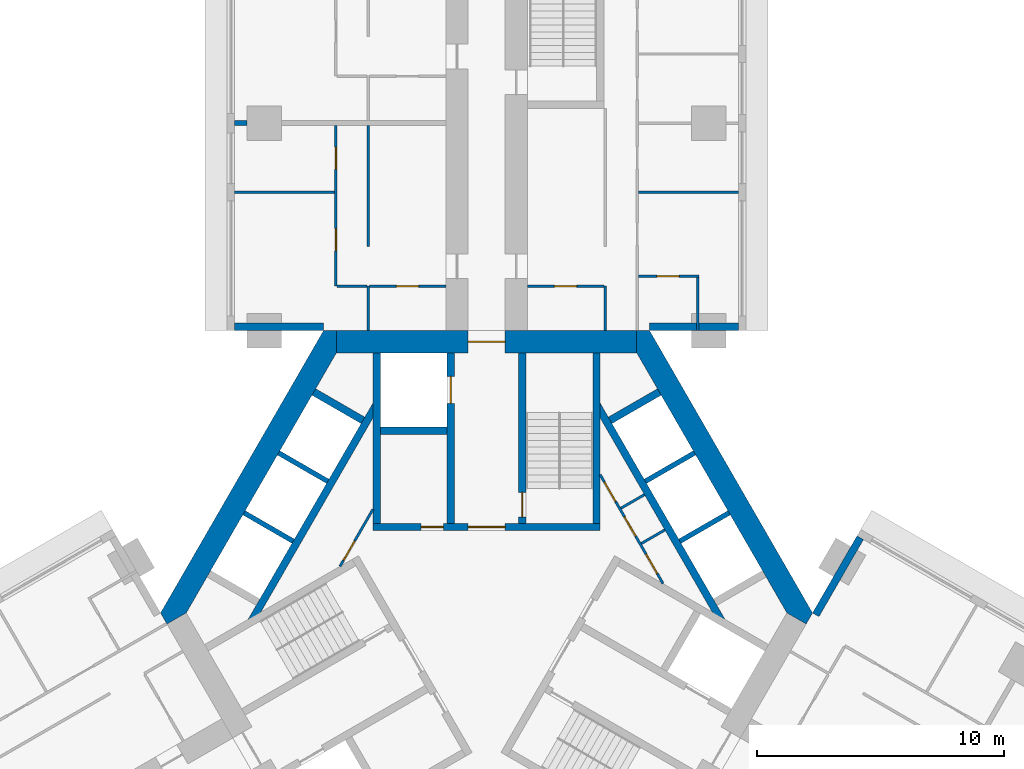
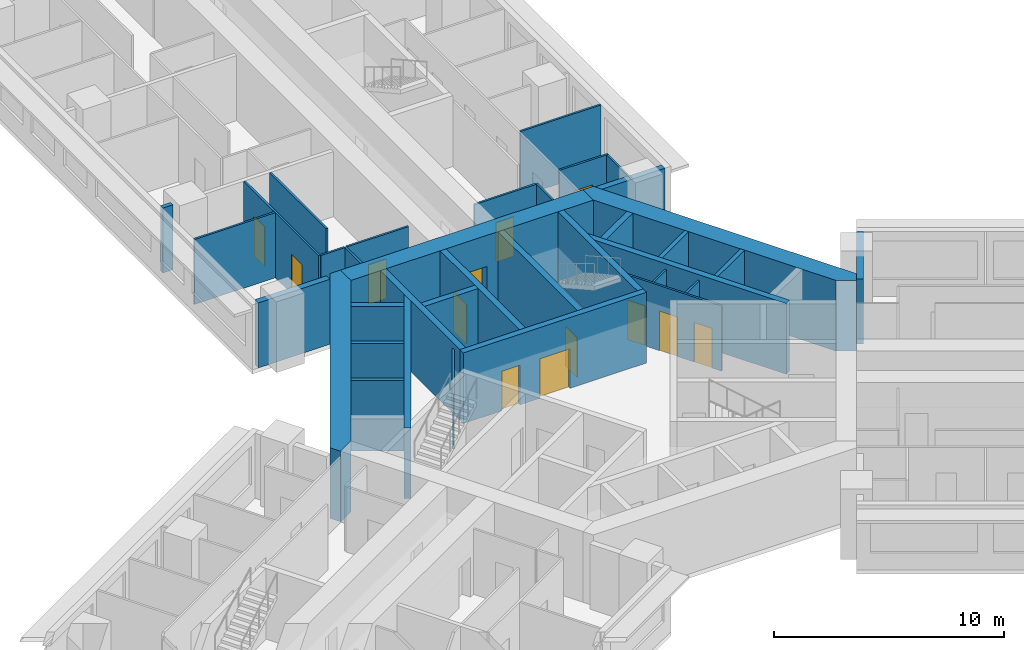
# One storey, part 7 of 14: 36 walls, 14 doors, 14 openings.
"""IFC4 building model written with IfcOpenShell, lengths in metres."""

import ifcopenshell
import ifcopenshell.guid

model = None  # the IFC model being written
_history = None  # IfcOwnerHistory: only IFC2X3 demands one
_inside = {}  # id of a spatial element -> (the spatial element, [elements in it])
_under = {}  # id of a project, library or spatial element -> (it, [spatial elements below it])
_declared = {}  # id of a project -> (the project, [libraries it declares])
_typed = {}  # id of a type object -> (the type object, [elements of that type])
_made_of = {}  # id of a material, layer set ... -> (it, [elements and type objects made of it])


def new_model(schema):
    """Start an empty IFC model of exactly this schema.

    Asked for "IFC4X3", IfcOpenShell would pick the latest addendum, in which some entities
    have other attributes; the version numbers below select the first issue.
    IFC2X3 requires an IfcOwnerHistory on every rooted entity: one is made here for all.
    """
    global model, _history
    if schema == "IFC4X3":
        model = ifcopenshell.file(schema_version=(4, 3, 0, 0))
    else:
        model = ifcopenshell.file(schema=schema)
    _inside.clear()
    _under.clear()
    _declared.clear()
    _typed.clear()
    _made_of.clear()
    _history = None
    if model.schema == "IFC2X3":
        org = make("IfcOrganization", Name="unknown")
        user = make(
            "IfcPersonAndOrganization",
            ThePerson=make("IfcPerson", FamilyName="unknown"),
            TheOrganization=org,
        )
        app = make(
            "IfcApplication",
            ApplicationDeveloper=org,
            Version="unknown",
            ApplicationFullName="unknown",
            ApplicationIdentifier="unknown",
        )
        _history = make(
            "IfcOwnerHistory",
            OwningUser=user,
            OwningApplication=app,
            ChangeAction="ADDED",
            CreationDate=0,
        )
    return model


def make(cls, **values):
    """One entity of the class cls with the attributes given. An attribute that is None is left unset."""
    return model.create_entity(
        cls, **{name: value for name, value in values.items() if value is not None}
    )


def rooted(cls, **values):
    """An entity with a GlobalId (a new one), such as an element, a storey or a relation."""
    return make(cls, GlobalId=ifcopenshell.guid.new(), OwnerHistory=_history, **values)


def si_unit(unit_type, name, prefix=None):
    """IfcSIUnit, for example si_unit("LENGTHUNIT", "METRE", prefix="MILLI")."""
    return make("IfcSIUnit", UnitType=unit_type, Prefix=prefix, Name=name)


def assignment(units):
    """IfcUnitAssignment: the units of a project."""
    return None if units is None else make("IfcUnitAssignment", Units=units)


def point(xyz):
    """IfcCartesianPoint."""
    return None if xyz is None else make("IfcCartesianPoint", Coordinates=xyz)


def direction(xyz):
    """IfcDirection."""
    return None if xyz is None else make("IfcDirection", DirectionRatios=xyz)


def frame(location, z_axis=None, x_axis=None):
    """IfcAxis2Placement3D, a coordinate frame: its origin and axes. An axis left out is left unset."""
    return make(
        "IfcAxis2Placement3D",
        Location=point(location),
        Axis=direction(z_axis),
        RefDirection=direction(x_axis),
    )


def frame_2d(location, x_axis=None):
    """IfcAxis2Placement2D, a coordinate frame in the plane: its origin and x axis."""
    return make(
        "IfcAxis2Placement2D", Location=point(location), RefDirection=direction(x_axis)
    )


def origin():
    """The frame at (0, 0, 0) with its axes left unset."""
    return frame((0.0, 0.0, 0.0))


def place(relative_to, where):
    """IfcLocalPlacement: puts the frame where relative to a parent placement (None: the world)."""
    return make(
        "IfcLocalPlacement", PlacementRelTo=relative_to, RelativePlacement=where
    )


def context(
    kind, dimensions, precision=None, world=None, true_north=None, identifier=None
):
    """IfcGeometricRepresentationContext, for example the 3D "Model" context."""
    return make(
        "IfcGeometricRepresentationContext",
        ContextIdentifier=identifier,
        ContextType=kind,
        CoordinateSpaceDimension=dimensions,
        Precision=precision,
        WorldCoordinateSystem=world,
        TrueNorth=true_north,
    )


def subcontext(parent, identifier, kind, view, scale=None):
    """IfcGeometricRepresentationSubContext, for example "Body" below "Model"."""
    return make(
        "IfcGeometricRepresentationSubContext",
        ContextIdentifier=identifier,
        ContextType=kind,
        ParentContext=parent,
        TargetScale=scale,
        TargetView=view,
    )


def project(units=None, contexts=None):
    """IfcProject with its units and contexts."""
    return rooted(
        "IfcProject",
        Name="project",
        RepresentationContexts=contexts,
        UnitsInContext=assignment(units),
    )


def spatial(cls, under=None, at=None, **own):
    """A site, building, storey or space (cls), placed at a placement, below another one or the project."""
    s = rooted(cls, ObjectPlacement=at, **own)
    if under is not None:
        _under.setdefault(under.id(), (under, []))[1].append(s)
    return s


def polyline(points):
    """IfcPolyline through the points."""
    return make("IfcPolyline", Points=[point(p) for p in points])


def profile(cls, at=None, kind="AREA", **sizes):
    """A parametric profile (cls). Its sizes go by their IFC names, for example OverallWidth=200.0."""
    return make(cls, ProfileType=kind, Position=at, **sizes)


def rectangle(**sizes):
    """IfcRectangleProfileDef."""
    return profile("IfcRectangleProfileDef", **sizes)


def outline(outer, holes=None, kind="AREA"):
    """IfcArbitraryClosedProfileDef: a profile drawn as a closed curve; with holes, ...WithVoids."""
    if holes is None:
        return make("IfcArbitraryClosedProfileDef", ProfileType=kind, OuterCurve=outer)
    return make(
        "IfcArbitraryProfileDefWithVoids",
        ProfileType=kind,
        OuterCurve=outer,
        InnerCurves=holes,
    )


def extrude(swept, where, along, depth):
    """IfcExtrudedAreaSolid: the profile swept, set in the frame where, extruded along a direction by depth."""
    return make(
        "IfcExtrudedAreaSolid",
        SweptArea=swept,
        Position=where,
        ExtrudedDirection=direction(along),
        Depth=depth,
    )


def shape(context_of_items, identifier, shape_type, items):
    """IfcShapeRepresentation: the items that make up one representation, for example the "Body"."""
    return make(
        "IfcShapeRepresentation",
        ContextOfItems=context_of_items,
        RepresentationIdentifier=identifier,
        RepresentationType=shape_type,
        Items=items,
    )


def material(Name=None, Category=None):
    """IfcMaterial."""
    return make("IfcMaterial", Name=Name, Category=Category)


def layer(
    of_material, thickness, ventilated=None, Name=None, Category=None, Priority=None
):
    """IfcMaterialLayer: one layer of a wall or slab, of a material (None: an air gap)."""
    return make(
        "IfcMaterialLayer",
        Material=of_material,
        LayerThickness=thickness,
        IsVentilated=ventilated,
        Name=Name,
        Category=Category,
        Priority=Priority,
    )


def layer_set(layers, Name=None):
    """IfcMaterialLayerSet."""
    return make("IfcMaterialLayerSet", MaterialLayers=layers, LayerSetName=Name)


def made_of(thing, what):
    """Note that an element or type object is made of a material, layer set ...; save() writes the relation."""
    if what is not None:
        _made_of.setdefault(what.id(), (what, []))[1].append(thing)
    return thing


def type_object(cls, material=None, **own):
    """A type object (cls), such as IfcWallType, which elements share."""
    return made_of(rooted(cls, **own), material)


def element(
    cls,
    number,
    at=None,
    inside=None,
    cuts=None,
    type_object=None,
    material=None,
    context=None,
    identifier="Body",
    shape_type=None,
    held_by="IfcProductDefinitionShape",
    body=None,
    shapes=None,
    **own,
):
    """One element of the class cls, such as IfcWall. Its Tag is "e" and its number.

    at: its placement. inside: the storey or other place that contains it. cuts: it is an
    opening in that element (IfcRelVoidsElement). A single representation is given by context,
    identifier, shape_type and body (its items); several are given by shapes. held_by: the class
    of the entity that holds the representations. save() writes the other relations.
    """
    e = rooted(cls, Tag="e%d" % number, ObjectPlacement=at, **own)
    if body is not None:
        shapes = [shape(context, identifier, shape_type, body)]
    if shapes is not None:
        e.Representation = make(held_by, Representations=shapes)
    if inside is not None:
        _inside.setdefault(inside.id(), (inside, []))[1].append(e)
    if cuts is not None:
        rooted(
            "IfcRelVoidsElement", RelatingBuildingElement=cuts, RelatedOpeningElement=e
        )
    if type_object is not None:
        _typed.setdefault(type_object.id(), (type_object, []))[1].append(e)
    return made_of(e, material)


def fill(opening, filler):
    """IfcRelFillsElement: the door or window that sits in an opening."""
    return rooted(
        "IfcRelFillsElement",
        RelatingOpeningElement=opening,
        RelatedBuildingElement=filler,
    )


def aggregate(whole, parts):
    """IfcRelAggregates: a whole, such as a stair, and the parts it consists of."""
    return rooted("IfcRelAggregates", RelatingObject=whole, RelatedObjects=parts)


def save(model, path):
    """Write the relations noted so far, then the file.

    IfcRelAggregates (storeys below a building ...), IfcRelContainedInSpatialStructure (elements
    in a storey), IfcRelDefinesByType, IfcRelAssociatesMaterial and IfcRelDeclares: one each for
    every whole, place, type object, material and project.
    """
    for whole, parts in _under.values():
        aggregate(whole, parts)
    for where, things in _inside.values():
        rooted(
            "IfcRelContainedInSpatialStructure",
            RelatedElements=things,
            RelatingStructure=where,
        )
    for kind, things in _typed.values():
        rooted("IfcRelDefinesByType", RelatedObjects=things, RelatingType=kind)
    for what, things in _made_of.values():
        rooted("IfcRelAssociatesMaterial", RelatedObjects=things, RelatingMaterial=what)
    for by, libraries in _declared.values():
        rooted("IfcRelDeclares", RelatingContext=by, RelatedDefinitions=libraries)
    model.write(path)


model = new_model("IFC4")

# Units and contexts
model_context = context("Model", 3, precision=1e-05, world=origin(), true_north=direction((0.0, 1.0)))
body_context = subcontext(model_context, "Body", "Model", "MODEL_VIEW")
ifc_project = project(units=[si_unit("LENGTHUNIT", "METRE"), si_unit("AREAUNIT", "SQUARE_METRE"), si_unit("VOLUMEUNIT", "CUBIC_METRE"), si_unit("PLANEANGLEUNIT", "RADIAN"), si_unit("MASSUNIT", "GRAM", prefix="KILO")], contexts=[model_context])

# Site, building, storey
site_placement = place(None, origin())
site = spatial("IfcSite", under=ifc_project, at=site_placement, CompositionType="ELEMENT")
building_placement = place(site_placement, origin())
building = spatial("IfcBuilding", under=site, at=building_placement, Name="Impinga Residences", CompositionType="ELEMENT")
storey_placement = place(building_placement, frame((0.0, 0.0, 89.75)))
storey = spatial("IfcBuildingStorey", under=building, at=storey_placement, Name="L22", CompositionType="ELEMENT", Elevation=89.75)

# Wall, openings, doors
ifc_material_1 = material(Name="Concrete blockwork", Category="masonry")
ifc_layer_1 = layer(ifc_material_1, 0.10009765625)
ifc_layer_set_1 = layer_set([ifc_layer_1], Name="CP1 core room partition, blockwork 100")
wall_type_1 = type_object("IfcWallType", Name="CP1 core room partition, blockwork 100", PredefinedType="PARTITIONING", material=ifc_layer_set_1)
wall_1_placement = place(storey_placement, frame((4.60009765625, 5.595703125, 0.0), z_axis=(0.0, 0.0, 1.0), x_axis=(0.499975622669, -0.866039477586, 0.0)))
wall_1 = element("IfcWall", 1, at=wall_1_placement, inside=storey, type_object=wall_type_1, Name="Core room partition, blockwork L22:CORE:mid:FP", PredefinedType="PARTITIONING", context=body_context, shape_type="SweptSolid", body=[
    extrude(rectangle(XDim=5.092041015625, YDim=0.10009765625, at=frame_2d((2.5458984375, 0.0))), origin(), (0.0, 0.0, 1.0), 3.449951171875),
])
opening_1_placement = place(wall_1_placement, frame((0.347900390625, 0.0, 0.0)))
opening_1 = element("IfcOpeningElement", 2, at=opening_1_placement, cuts=wall_1, Name="Opening D6", PredefinedType="OPENING", context=body_context, shape_type="SweptSolid", body=[
    extrude(rectangle(XDim=0.89990234375, YDim=2.10009765625, at=frame_2d((0.449951171875, 1.050048828125))), frame((0.0, 0.06005859375, 0.0), z_axis=(0.0, -1.0, 0.0), x_axis=(1.0, 0.0, 0.0)), (0.0, 0.0, 1.0), 0.1201171875),
])
opening_2_placement = place(wall_1_placement, frame((1.970947265625, 0.0, 0.0)))
opening_2 = element("IfcOpeningElement", 3, at=opening_2_placement, cuts=wall_1, Name="Opening D6", PredefinedType="OPENING", context=body_context, shape_type="SweptSolid", body=[
    extrude(rectangle(XDim=0.89990234375, YDim=2.10009765625, at=frame_2d((0.449951171875, 1.050048828125))), frame((0.0, 0.06005859375, 0.0), z_axis=(0.0, -1.0, 0.0), x_axis=(1.0, 0.0, 0.0)), (0.0, 0.0, 1.0), 0.1201171875),
])
opening_3_placement = place(wall_1_placement, frame((3.718994140625, 0.0, 0.0)))
opening_3 = element("IfcOpeningElement", 4, at=opening_3_placement, cuts=wall_1, Name="Opening D6", PredefinedType="OPENING", context=body_context, shape_type="SweptSolid", body=[
    extrude(rectangle(XDim=0.89990234375, YDim=2.10009765625, at=frame_2d((0.449951171875, 1.050048828125))), frame((0.0, 0.06005859375, 0.0), z_axis=(0.0, -1.0, 0.0), x_axis=(1.0, 0.0, 0.0)), (0.0, 0.0, 1.0), 0.1201171875),
])
ifc_material_2 = material(Name="Timber door set", Category="wood")
door_type_1 = type_object("IfcDoorType", Name="D6 riser and store door 900x2100", OperationType="SINGLE_SWING_LEFT", PredefinedType="DOOR", material=ifc_material_2)
door_1_placement = place(opening_1_placement, origin())
door_1 = element("IfcDoor", 5, at=door_1_placement, inside=storey, type_object=door_type_1, Name="Riser cupboard door", OperationType="SINGLE_SWING_LEFT", OverallHeight=2.10009765625, OverallWidth=0.89990234375, PredefinedType="DOOR", context=body_context, shape_type="SweptSolid", body=[
    extrude(rectangle(XDim=0.89990234375, YDim=2.10009765625, at=frame_2d((0.449951171875, 1.050048828125))), frame((0.0, 0.02490234375, 0.0), z_axis=(0.0, -1.0, 0.0), x_axis=(1.0, 0.0, 0.0)), (0.0, 0.0, 1.0), 0.050048828125),
])
fill(opening_1, door_1)
door_2_placement = place(opening_2_placement, origin())
door_2 = element("IfcDoor", 6, at=door_2_placement, inside=storey, type_object=door_type_1, Name="Linen store door", OperationType="SINGLE_SWING_LEFT", OverallHeight=2.10009765625, OverallWidth=0.89990234375, PredefinedType="DOOR", context=body_context, shape_type="SweptSolid", body=[
    extrude(rectangle(XDim=0.89990234375, YDim=2.10009765625, at=frame_2d((0.449951171875, 1.050048828125))), frame((0.0, 0.02490234375, 0.0), z_axis=(0.0, -1.0, 0.0), x_axis=(1.0, 0.0, 0.0)), (0.0, 0.0, 1.0), 0.050048828125),
])
fill(opening_2, door_2)
door_3_placement = place(opening_3_placement, origin())
door_3 = element("IfcDoor", 7, at=door_3_placement, inside=storey, type_object=door_type_1, Name="Bulky waste store door", OperationType="SINGLE_SWING_RIGHT", OverallHeight=2.10009765625, OverallWidth=0.89990234375, PredefinedType="DOOR", context=body_context, shape_type="SweptSolid", body=[
    extrude(rectangle(XDim=0.89990234375, YDim=2.10009765625, at=frame_2d((0.449951171875, 1.050048828125))), frame((0.0, 0.02490234375, 0.0), z_axis=(0.0, -1.0, 0.0), x_axis=(1.0, 0.0, 0.0)), (0.0, 0.0, 1.0), 0.050048828125),
])
fill(opening_3, door_3)

# Walls
for number, where, z_axis, x_axis, name in (
    (8, (5.441162109375, 4.238525390625, 0.0), (0.0, 0.0, 1.0), (0.866008176907, 0.50002983664, 0.0), "Core room partition, blockwork L22:CORE:mid:FS1"),
    (9, (6.266357421875, 2.8095703125, 0.0), (0.0, 0.0, 1.0), (0.866008176907, 0.50002983664, 0.0), "Core room partition, blockwork L22:CORE:mid:FS2"),
):
    element("IfcWall", number, at=place(storey_placement, frame(where, z_axis=z_axis, x_axis=x_axis)), inside=storey, type_object=wall_type_1, Name=name, PredefinedType="PARTITIONING", context=body_context, shape_type="SweptSolid", body=[
        extrude(rectangle(XDim=1.10009765625, YDim=0.10009765625, at=frame_2d((0.550048828125, 0.0))), origin(), (0.0, 0.0, 1.0), 3.449951171875),
    ])

# Wall, opening, door
wall_2_placement = place(storey_placement, frame((-5.93359375, 1.885986328125, 0.0), z_axis=(0.0, 0.0, 1.0), x_axis=(0.500018294232, 0.866014841347, 0.0)))
wall_2 = element("IfcWall", 10, at=wall_2_placement, inside=storey, type_object=wall_type_1, Name="Core room partition, blockwork L22:CORE:high:FP", PredefinedType="PARTITIONING", context=body_context, shape_type="SweptSolid", body=[
    extrude(rectangle(XDim=2.6669921875, YDim=0.10009765625, at=frame_2d((1.33349609375, 0.0))), origin(), (0.0, 0.0, 1.0), 3.449951171875),
])
opening_4_placement = place(wall_2_placement, frame((0.283447265625, 0.0, 0.0)))
opening_4 = element("IfcOpeningElement", 11, at=opening_4_placement, cuts=wall_2, Name="Opening D6", PredefinedType="OPENING", context=body_context, shape_type="SweptSolid", body=[
    extrude(rectangle(XDim=0.89990234375, YDim=2.10009765625, at=frame_2d((0.449951171875, 1.050048828125))), frame((0.0, 0.06005859375, 0.0), z_axis=(0.0, -1.0, 0.0), x_axis=(1.0, 0.0, 0.0)), (0.0, 0.0, 1.0), 0.1201171875),
])
door_4_placement = place(opening_4_placement, origin())
door_4 = element("IfcDoor", 12, at=door_4_placement, inside=storey, type_object=door_type_1, Name="Refuse and recycling room door", OperationType="SINGLE_SWING_LEFT", OverallHeight=2.10009765625, OverallWidth=0.89990234375, PredefinedType="DOOR", context=body_context, shape_type="SweptSolid", body=[
    extrude(rectangle(XDim=0.89990234375, YDim=2.10009765625, at=frame_2d((0.449951171875, 1.050048828125))), frame((0.0, 0.02490234375, 0.0), z_axis=(0.0, -1.0, 0.0), x_axis=(1.0, 0.0, 0.0)), (0.0, 0.0, 1.0), 0.050048828125),
])
fill(opening_4, door_4)

# Walls
ifc_material_3 = material(Name="Terracotta rainscreen on blockwork", Category="masonry")
ifc_layer_2 = layer(ifc_material_3, 0.300048828125)
ifc_layer_set_2 = layer_set([ifc_layer_2], Name="EW1 external wall, terracotta rainscreen on blockwork 300")
wall_type_2 = type_object("IfcWallType", Name="EW1 external wall, terracotta rainscreen on blockwork 300", PredefinedType="SOLIDWALL", material=ifc_layer_set_2)
for number, where, z_axis, x_axis, name in (
    (13, (-6.60009765625, 11.58154296875, 0.0), (0.0, 0.0, 1.0), (-1.0, 0.0, 0.0), "External wall EW1 L22"),
    (14, (10.199951171875, 11.58154296875, 0.0), (0.0, 0.0, 1.0), (-1.0, 0.0, 0.0), "External wall EW1 L22"),
):
    element("IfcWall", number, at=place(storey_placement, frame(where, z_axis=z_axis, x_axis=x_axis)), inside=storey, type_object=wall_type_2, Name=name, PredefinedType="SOLIDWALL", context=body_context, shape_type="SweptSolid", body=[
        extrude(rectangle(XDim=3.599853515625, YDim=0.300048828125, at=frame_2d((1.7998046875, 0.0))), origin(), (0.0, 0.0, 1.0), 3.449951171875),
    ])
wall_3_placement = place(storey_placement, frame((13.329833984375, -0.074951171875, 0.0), z_axis=(0.0, 0.0, 1.0), x_axis=(0.500012057535, 0.866018442252, 0.0)))
element("IfcWall", 15, at=wall_3_placement, inside=storey, type_object=wall_type_2, Name="External wall EW1 L22", PredefinedType="SOLIDWALL", context=body_context, shape_type="SweptSolid", body=[
    extrude(rectangle(XDim=3.60009765625, YDim=0.300048828125, at=frame_2d((1.800048828125, 0.0))), origin(), (0.0, 0.0, 1.0), 3.449951171875),
])
ifc_material_4 = material(Name="Gypsum board on steel studs", Category="steel")
ifc_layer_3 = layer(ifc_material_4, 0.10009765625)
ifc_layer_set_3 = layer_set([ifc_layer_3], Name="Gypsum board on steel studs")
wall_type_3 = type_object("IfcWallType", Name="IP1 partition 100", PredefinedType="PARTITIONING", material=ifc_layer_set_3)
wall_4_placement = place(storey_placement, frame((-4.800048828125, 11.431640625, 0.0), z_axis=(0.0, 0.0, 1.0), x_axis=(0.0, 1.0, 0.0)))
element("IfcWall", 16, at=wall_4_placement, inside=storey, type_object=wall_type_3, Name="Partition L22-NA1:DIV0", PredefinedType="PARTITIONING", context=body_context, shape_type="SweptSolid", body=[
    extrude(rectangle(XDim=1.7998046875, YDim=0.10009765625, at=frame_2d((0.89990234375, 0.0))), origin(), (0.0, 0.0, 1.0), 3.449951171875),
])
wall_5_placement = place(storey_placement, frame((-4.800048828125, 14.83154296875, 0.0), z_axis=(0.0, 0.0, 1.0), x_axis=(0.0, 1.0, 0.0)))
element("IfcWall", 17, at=wall_5_placement, inside=storey, type_object=wall_type_3, Name="Partition L22-NA1:DIV1", PredefinedType="PARTITIONING", context=body_context, shape_type="SweptSolid", body=[
    extrude(rectangle(XDim=4.89990234375, YDim=0.10009765625, at=frame_2d((2.449951171875, 0.0))), origin(), (0.0, 0.0, 1.0), 3.449951171875),
])

# Wall, openings, doors
wall_6_placement = place(storey_placement, frame((-6.10009765625, 13.2314453125, 0.0), z_axis=(0.0, 0.0, 1.0), x_axis=(0.0, 1.0, 0.0)))
wall_6 = element("IfcWall", 18, at=wall_6_placement, inside=storey, type_object=wall_type_3, Name="Partition L22-NA1:STRIP", PredefinedType="PARTITIONING", context=body_context, shape_type="SweptSolid", body=[
    extrude(rectangle(XDim=6.5, YDim=0.10009765625, at=frame_2d((3.25, 0.0))), origin(), (0.0, 0.0, 1.0), 3.449951171875),
])
opening_5_placement = place(wall_6_placement, frame((1.425048828125, 0.0, 0.0)))
opening_5 = element("IfcOpeningElement", 19, at=opening_5_placement, cuts=wall_6, Name="Opening D2", PredefinedType="OPENING", context=body_context, shape_type="SweptSolid", body=[
    extrude(rectangle(XDim=0.89990234375, YDim=2.10009765625, at=frame_2d((0.449951171875, 1.050048828125))), frame((0.0, 0.06005859375, 0.0), z_axis=(0.0, -1.0, 0.0), x_axis=(1.0, 0.0, 0.0)), (0.0, 0.0, 1.0), 0.1201171875),
])
opening_6_placement = place(wall_6_placement, frame((4.72509765625, 0.0, 0.0)))
opening_6 = element("IfcOpeningElement", 20, at=opening_6_placement, cuts=wall_6, Name="Opening D2", PredefinedType="OPENING", context=body_context, shape_type="SweptSolid", body=[
    extrude(rectangle(XDim=0.89990234375, YDim=2.10009765625, at=frame_2d((0.449951171875, 1.050048828125))), frame((0.0, 0.06005859375, 0.0), z_axis=(0.0, -1.0, 0.0), x_axis=(1.0, 0.0, 0.0)), (0.0, 0.0, 1.0), 0.1201171875),
])
door_type_2 = type_object("IfcDoorType", Name="D2 internal door 900x2100", OperationType="SINGLE_SWING_LEFT", PredefinedType="DOOR", material=ifc_material_2)
door_5_placement = place(opening_5_placement, origin())
door_5 = element("IfcDoor", 21, at=door_5_placement, inside=storey, type_object=door_type_2, Name="Apartment L22-NA1 room door", OperationType="SINGLE_SWING_LEFT", OverallHeight=2.10009765625, OverallWidth=0.89990234375, PredefinedType="DOOR", context=body_context, shape_type="SweptSolid", body=[
    extrude(rectangle(XDim=0.89990234375, YDim=2.10009765625, at=frame_2d((0.449951171875, 1.050048828125))), frame((0.0, 0.02490234375, 0.0), z_axis=(0.0, -1.0, 0.0), x_axis=(1.0, 0.0, 0.0)), (0.0, 0.0, 1.0), 0.050048828125),
])
fill(opening_5, door_5)
door_6_placement = place(opening_6_placement, origin())
door_6 = element("IfcDoor", 22, at=door_6_placement, inside=storey, type_object=door_type_2, Name="Apartment L22-NA1 room door", OperationType="SINGLE_SWING_RIGHT", OverallHeight=2.10009765625, OverallWidth=0.89990234375, PredefinedType="DOOR", context=body_context, shape_type="SweptSolid", body=[
    extrude(rectangle(XDim=0.89990234375, YDim=2.10009765625, at=frame_2d((0.449951171875, 1.050048828125))), frame((0.0, 0.02490234375, 0.0), z_axis=(0.0, -1.0, 0.0), x_axis=(1.0, 0.0, 0.0)), (0.0, 0.0, 1.0), 0.050048828125),
])
fill(opening_6, door_6)

# Wall
wall_7_placement = place(storey_placement, frame((-4.85009765625, 13.2314453125, 0.0), z_axis=(0.0, 0.0, 1.0), x_axis=(-1.0, 0.0, 0.0)))
element("IfcWall", 23, at=wall_7_placement, inside=storey, type_object=wall_type_3, Name="Partition L22-NA1:SE0", PredefinedType="PARTITIONING", context=body_context, shape_type="SweptSolid", body=[
    extrude(rectangle(XDim=1.199951171875, YDim=0.10009765625, at=frame_2d((0.60009765625, 0.0))), origin(), (0.0, 0.0, 1.0), 3.449951171875),
])

# Wall, opening, door
wall_8_placement = place(storey_placement, frame((-1.64990234375, 13.2314453125, 0.0), z_axis=(0.0, 0.0, 1.0), x_axis=(-1.0, 0.0, 0.0)))
wall_8 = element("IfcWall", 24, at=wall_8_placement, inside=storey, type_object=wall_type_3, Name="Partition L22-NA1:IB1", PredefinedType="PARTITIONING", context=body_context, shape_type="SweptSolid", body=[
    extrude(rectangle(XDim=3.10009765625, YDim=0.10009765625, at=frame_2d((1.550048828125, 0.0))), origin(), (0.0, 0.0, 1.0), 3.449951171875),
])
opening_7_placement = place(wall_8_placement, frame((1.10009765625, 0.0, 0.0)))
opening_7 = element("IfcOpeningElement", 25, at=opening_7_placement, cuts=wall_8, Name="Opening D2", PredefinedType="OPENING", context=body_context, shape_type="SweptSolid", body=[
    extrude(rectangle(XDim=0.89990234375, YDim=2.10009765625, at=frame_2d((0.449951171875, 1.050048828125))), frame((0.0, 0.06005859375, 0.0), z_axis=(0.0, -1.0, 0.0), x_axis=(1.0, 0.0, 0.0)), (0.0, 0.0, 1.0), 0.1201171875),
])
door_7_placement = place(opening_7_placement, origin())
door_7 = element("IfcDoor", 26, at=door_7_placement, inside=storey, type_object=door_type_2, Name="Apartment L22-NA1 bathroom door", OperationType="SINGLE_SWING_LEFT", OverallHeight=2.10009765625, OverallWidth=0.89990234375, PredefinedType="DOOR", context=body_context, shape_type="SweptSolid", body=[
    extrude(rectangle(XDim=0.89990234375, YDim=2.10009765625, at=frame_2d((0.449951171875, 1.050048828125))), frame((0.0, 0.02490234375, 0.0), z_axis=(0.0, -1.0, 0.0), x_axis=(1.0, 0.0, 0.0)), (0.0, 0.0, 1.0), 0.050048828125),
])
fill(opening_7, door_7)

# Walls
wall_9_placement = place(storey_placement, frame((-6.14990234375, 17.031494140625, 0.0), z_axis=(0.0, 0.0, 1.0), x_axis=(-1.0, 0.0, 0.0)))
element("IfcWall", 27, at=wall_9_placement, inside=storey, type_object=wall_type_3, Name="Partition L22-NA1:OB1", PredefinedType="PARTITIONING", context=body_context, shape_type="SweptSolid", body=[
    extrude(rectangle(XDim=4.050048828125, YDim=0.10009765625, at=frame_2d((2.02490234375, 0.0))), origin(), (0.0, 0.0, 1.0), 3.449951171875),
])
wall_10_placement = place(storey_placement, frame((4.800048828125, 11.431640625, 0.0), z_axis=(0.0, 0.0, 1.0), x_axis=(0.0, 1.0, 0.0)))
element("IfcWall", 28, at=wall_10_placement, inside=storey, type_object=wall_type_3, Name="Partition L22-NF1:DIV0", PredefinedType="PARTITIONING", context=body_context, shape_type="SweptSolid", body=[
    extrude(rectangle(XDim=1.7998046875, YDim=0.10009765625, at=frame_2d((0.89990234375, 0.0))), origin(), (0.0, 0.0, 1.0), 3.449951171875),
])

# Wall, opening, door
wall_11_placement = place(storey_placement, frame((1.64990234375, 13.2314453125, 0.0), z_axis=(0.0, 0.0, 1.0), x_axis=(1.0, 0.0, 0.0)))
wall_11 = element("IfcWall", 29, at=wall_11_placement, inside=storey, type_object=wall_type_3, Name="Partition L22-NF1:IB1", PredefinedType="PARTITIONING", context=body_context, shape_type="SweptSolid", body=[
    extrude(rectangle(XDim=3.10009765625, YDim=0.10009765625, at=frame_2d((1.550048828125, 0.0))), origin(), (0.0, 0.0, 1.0), 3.449951171875),
])
opening_8_placement = place(wall_11_placement, frame((1.10009765625, 0.0, 0.0)))
opening_8 = element("IfcOpeningElement", 30, at=opening_8_placement, cuts=wall_11, Name="Opening D2", PredefinedType="OPENING", context=body_context, shape_type="SweptSolid", body=[
    extrude(rectangle(XDim=0.89990234375, YDim=2.10009765625, at=frame_2d((0.449951171875, 1.050048828125))), frame((0.0, 0.06005859375, 0.0), z_axis=(0.0, -1.0, 0.0), x_axis=(1.0, 0.0, 0.0)), (0.0, 0.0, 1.0), 0.1201171875),
])
door_8_placement = place(opening_8_placement, origin())
door_8 = element("IfcDoor", 31, at=door_8_placement, inside=storey, type_object=door_type_2, Name="Apartment L22-NF1 bathroom door", OperationType="SINGLE_SWING_LEFT", OverallHeight=2.10009765625, OverallWidth=0.89990234375, PredefinedType="DOOR", context=body_context, shape_type="SweptSolid", body=[
    extrude(rectangle(XDim=0.89990234375, YDim=2.10009765625, at=frame_2d((0.449951171875, 1.050048828125))), frame((0.0, 0.02490234375, 0.0), z_axis=(0.0, -1.0, 0.0), x_axis=(1.0, 0.0, 0.0)), (0.0, 0.0, 1.0), 0.050048828125),
])
fill(opening_8, door_8)

# Wall
wall_12_placement = place(storey_placement, frame((6.14990234375, 17.031494140625, 0.0), z_axis=(0.0, 0.0, 1.0), x_axis=(1.0, 0.0, 0.0)))
element("IfcWall", 32, at=wall_12_placement, inside=storey, type_object=wall_type_3, Name="Partition L22-NF1:OB1", PredefinedType="PARTITIONING", context=body_context, shape_type="SweptSolid", body=[
    extrude(rectangle(XDim=4.050048828125, YDim=0.10009765625, at=frame_2d((2.02490234375, 0.0))), origin(), (0.0, 0.0, 1.0), 3.449951171875),
])

# Wall, opening, door
wall_13_placement = place(storey_placement, frame((6.14990234375, 13.631591796875, 0.0), z_axis=(0.0, 0.0, 1.0), x_axis=(1.0, 0.0, 0.0)))
wall_13 = element("IfcWall", 33, at=wall_13_placement, inside=storey, type_object=wall_type_3, Name="Partition L22-NF1:EN1", PredefinedType="PARTITIONING", context=body_context, shape_type="SweptSolid", body=[
    extrude(rectangle(XDim=2.4501953125, YDim=0.10009765625, at=frame_2d((1.22509765625, 0.0))), origin(), (0.0, 0.0, 1.0), 3.449951171875),
])
opening_9_placement = place(wall_13_placement, frame((0.75, 0.0, 0.0)))
opening_9 = element("IfcOpeningElement", 34, at=opening_9_placement, cuts=wall_13, Name="Opening D2", PredefinedType="OPENING", context=body_context, shape_type="SweptSolid", body=[
    extrude(rectangle(XDim=0.89990234375, YDim=2.10009765625, at=frame_2d((0.449951171875, 1.050048828125))), frame((0.0, 0.06005859375, 0.0), z_axis=(0.0, -1.0, 0.0), x_axis=(1.0, 0.0, 0.0)), (0.0, 0.0, 1.0), 0.1201171875),
])
door_9_placement = place(opening_9_placement, origin())
door_9 = element("IfcDoor", 35, at=door_9_placement, inside=storey, type_object=door_type_2, Name="Apartment L22-NF1 en-suite door", OperationType="SINGLE_SWING_LEFT", OverallHeight=2.10009765625, OverallWidth=0.89990234375, PredefinedType="DOOR", context=body_context, shape_type="SweptSolid", body=[
    extrude(rectangle(XDim=0.89990234375, YDim=2.10009765625, at=frame_2d((0.449951171875, 1.050048828125))), frame((0.0, 0.02490234375, 0.0), z_axis=(0.0, -1.0, 0.0), x_axis=(1.0, 0.0, 0.0)), (0.0, 0.0, 1.0), 0.050048828125),
])
fill(opening_9, door_9)

# Walls
wall_14_placement = place(storey_placement, frame((8.550048828125, 11.431640625, 0.0), z_axis=(0.0, 0.0, 1.0), x_axis=(0.0, 1.0, 0.0)))
element("IfcWall", 36, at=wall_14_placement, inside=storey, type_object=wall_type_3, Name="Partition L22-NF1:EN2", PredefinedType="PARTITIONING", context=body_context, shape_type="SweptSolid", body=[
    extrude(rectangle(XDim=2.14990234375, YDim=0.10009765625, at=frame_2d((1.074951171875, 0.0))), origin(), (0.0, 0.0, 1.0), 3.449951171875),
])
ifc_layer_4 = layer(ifc_material_1, 0.199951171875)
ifc_layer_set_4 = layer_set([ifc_layer_4], Name="PW1 party wall between apartments 200")
wall_type_4 = type_object("IfcWallType", Name="PW1 party wall between apartments 200", PredefinedType="SOLIDWALL", material=ifc_layer_set_4)
wall_15_placement = place(storey_placement, frame((-9.699951171875, 19.83154296875, 0.0), z_axis=(0.0, 0.0, 1.0), x_axis=(-1.0, 0.0, 0.0)))
element("IfcWall", 37, at=wall_15_placement, inside=storey, type_object=wall_type_4, Name="Party wall between apartments L22-NA1:PARTYb", PredefinedType="SOLIDWALL", context=body_context, shape_type="SweptSolid", body=[
    extrude(rectangle(XDim=0.5, YDim=0.199951171875, at=frame_2d((0.25, 0.0))), origin(), (0.0, 0.0, 1.0), 3.449951171875),
])

# Wall, opening, door
ifc_material_5 = material(Name="Concrete C70/85", Category="concrete")
ifc_layer_5 = layer(ifc_material_5, 0.89990234375)
ifc_layer_set_5 = layer_set([ifc_layer_5], Name="Concrete C70/85")
wall_type_5 = type_object("IfcWallType", Name="SW1 core wall 900", PredefinedType="SHEAR", material=ifc_layer_set_5)
wall_16_placement = place(storey_placement, frame((-6.080322265625, 10.9814453125, 0.0), z_axis=(0.0, 0.0, 1.0), x_axis=(1.0, 0.0, 0.0)))
wall_16 = element("IfcWall", 38, at=wall_16_placement, inside=storey, type_object=wall_type_5, Name="Core wall SW1 N:FACE L22", PredefinedType="SHEAR", context=body_context, shape_type="SweptSolid", body=[
    extrude(rectangle(XDim=12.16064453125, YDim=0.89990234375, at=frame_2d((6.080322265625, 0.0))), origin(), (0.0, 0.0, 1.0), 3.75),
])
opening_10_placement = place(wall_16_placement, frame((5.330322265625, 0.0, 0.0)))
opening_10 = element("IfcOpeningElement", 39, at=opening_10_placement, cuts=wall_16, Name="Opening D4", PredefinedType="OPENING", context=body_context, shape_type="SweptSolid", body=[
    extrude(rectangle(XDim=1.5, YDim=2.10009765625, at=frame_2d((0.75, 1.050048828125))), frame((0.0, 0.4599609375, 0.0), z_axis=(0.0, -1.0, 0.0), x_axis=(1.0, 0.0, 0.0)), (0.0, 0.0, 1.0), 0.919921875),
])
door_type_3 = type_object("IfcDoorType", Name="D4 lobby door pair 1500x2100", OperationType="DOUBLE_DOOR_DOUBLE_SWING", PredefinedType="DOOR", material=ifc_material_2)
door_10_placement = place(opening_10_placement, origin())
door_10 = element("IfcDoor", 40, at=door_10_placement, inside=storey, type_object=door_type_3, Name="Lobby door N", OperationType="DOUBLE_DOOR_DOUBLE_SWING", OverallHeight=2.10009765625, OverallWidth=1.5, PredefinedType="DOOR", context=body_context, shape_type="SweptSolid", body=[
    extrude(rectangle(XDim=1.5, YDim=2.10009765625, at=frame_2d((0.75, 1.050048828125))), frame((0.0, 0.02490234375, 0.0), z_axis=(0.0, -1.0, 0.0), x_axis=(1.0, 0.0, 0.0)), (0.0, 0.0, 1.0), 0.050048828125),
])
fill(opening_10, door_10)

# Walls
wall_17_placement = place(storey_placement, origin())
element("IfcWall", 41, at=wall_17_placement, inside=storey, type_object=wall_type_5, Name="Core wall SW1 W:EXPOSED L22", PredefinedType="SHEAR", context=body_context, shape_type="SweptSolid", body=[
    extrude(outline(polyline([(13.199951171875, 0.0), (6.60009765625, 11.431640625), (6.080322265625, 11.431640625), (6.080322265625, 10.531494140625), (12.160888671875, 0.0), (12.940185546875, -0.449951171875), (13.199951171875, 0.0)])), origin(), (0.0, 0.0, 1.0), 3.75),
])
wall_18_placement = place(storey_placement, origin())
element("IfcWall", 42, at=wall_18_placement, inside=storey, type_object=wall_type_5, Name="Core wall SW1 E:EXPOSED L22", PredefinedType="SHEAR", context=body_context, shape_type="SweptSolid", body=[
    extrude(outline(polyline([(-6.60009765625, 11.431640625), (-13.199951171875, 0.0), (-12.940185546875, -0.449951171875), (-12.160888671875, 0.0), (-6.080322265625, 10.531494140625), (-6.080322265625, 11.431640625), (-6.60009765625, 11.431640625)])), origin(), (0.0, 0.0, 1.0), 3.75),
])

# Wall, openings, doors
ifc_layer_6 = layer(ifc_material_5, 0.300048828125)
ifc_layer_set_6 = layer_set([ifc_layer_6], Name="Concrete C70/85")
wall_type_6 = type_object("IfcWallType", Name="SW5 core inner wall, stairs, shafts and lobbies 300", PredefinedType="SHEAR", material=ifc_layer_set_6)
wall_19_placement = place(storey_placement, frame((-4.60009765625, 3.47998046875, 0.0), z_axis=(0.0, 0.0, 1.0), x_axis=(1.0, 0.0, 0.0)))
wall_19 = element("IfcWall", 43, at=wall_19_placement, inside=storey, type_object=wall_type_6, Name="Core wall SW5 N:ZONE L22", PredefinedType="SHEAR", context=body_context, shape_type="SweptSolid", body=[
    extrude(rectangle(XDim=9.2001953125, YDim=0.300048828125, at=frame_2d((4.60009765625, 0.0))), origin(), (0.0, 0.0, 1.0), 3.75),
])
opening_11_placement = place(wall_19_placement, frame((3.85009765625, 0.0, 0.0)))
opening_11 = element("IfcOpeningElement", 44, at=opening_11_placement, cuts=wall_19, Name="Opening D4", PredefinedType="OPENING", context=body_context, shape_type="SweptSolid", body=[
    extrude(rectangle(XDim=1.5, YDim=2.10009765625, at=frame_2d((0.75, 1.050048828125))), frame((0.0, 0.159912109375, 0.0), z_axis=(0.0, -1.0, 0.0), x_axis=(1.0, 0.0, 0.0)), (0.0, 0.0, 1.0), 0.320068359375),
])
opening_12_placement = place(wall_19_placement, frame((1.949951171875, 0.0, 0.0)))
opening_12 = element("IfcOpeningElement", 45, at=opening_12_placement, cuts=wall_19, Name="Opening D6", PredefinedType="OPENING", context=body_context, shape_type="SweptSolid", body=[
    extrude(rectangle(XDim=0.89990234375, YDim=2.10009765625, at=frame_2d((0.449951171875, 1.050048828125))), frame((0.0, 0.159912109375, 0.0), z_axis=(0.0, -1.0, 0.0), x_axis=(1.0, 0.0, 0.0)), (0.0, 0.0, 1.0), 0.320068359375),
])
door_11_placement = place(opening_11_placement, origin())
door_11 = element("IfcDoor", 46, at=door_11_placement, inside=storey, type_object=door_type_3, Name="Firefighting lobby door N", OperationType="DOUBLE_DOOR_DOUBLE_SWING", OverallHeight=2.10009765625, OverallWidth=1.5, PredefinedType="DOOR", context=body_context, shape_type="SweptSolid", body=[
    extrude(rectangle(XDim=1.5, YDim=2.10009765625, at=frame_2d((0.75, 1.050048828125))), frame((0.0, 0.02490234375, 0.0), z_axis=(0.0, -1.0, 0.0), x_axis=(1.0, 0.0, 0.0)), (0.0, 0.0, 1.0), 0.050048828125),
])
fill(opening_11, door_11)
door_12_placement = place(opening_12_placement, origin())
door_12 = element("IfcDoor", 47, at=door_12_placement, inside=storey, type_object=door_type_1, Name="Riser door N", OperationType="SINGLE_SWING_LEFT", OverallHeight=2.10009765625, OverallWidth=0.89990234375, PredefinedType="DOOR", context=body_context, shape_type="SweptSolid", body=[
    extrude(rectangle(XDim=0.89990234375, YDim=2.10009765625, at=frame_2d((0.449951171875, 1.050048828125))), frame((0.0, 0.02490234375, 0.0), z_axis=(0.0, -1.0, 0.0), x_axis=(1.0, 0.0, 0.0)), (0.0, 0.0, 1.0), 0.050048828125),
])
fill(opening_12, door_12)

# Wall, opening, door
wall_20_placement = place(storey_placement, frame((1.449951171875, 3.6298828125, 0.0), z_axis=(0.0, 0.0, 1.0), x_axis=(0.0, 1.0, 0.0)))
wall_20 = element("IfcWall", 48, at=wall_20_placement, inside=storey, type_object=wall_type_6, Name="Core wall SW5 N:ST-IN L22", PredefinedType="SHEAR", context=body_context, shape_type="SweptSolid", body=[
    extrude(rectangle(XDim=6.901611328125, YDim=0.300048828125, at=frame_2d((3.45068359375, 0.0))), origin(), (0.0, 0.0, 1.0), 3.75),
])
opening_13_placement = place(wall_20_placement, frame((0.25, 0.0, 0.0)))
opening_13 = element("IfcOpeningElement", 49, at=opening_13_placement, cuts=wall_20, Name="Opening D5", PredefinedType="OPENING", context=body_context, shape_type="SweptSolid", body=[
    extrude(rectangle(XDim=1.0, YDim=2.10009765625, at=frame_2d((0.5, 1.050048828125))), frame((0.0, 0.159912109375, 0.0), z_axis=(0.0, -1.0, 0.0), x_axis=(1.0, 0.0, 0.0)), (0.0, 0.0, 1.0), 0.320068359375),
])
door_type_4 = type_object("IfcDoorType", Name="D5 stair door 1000x2100", OperationType="SINGLE_SWING_LEFT", PredefinedType="DOOR", material=ifc_material_2)
door_13_placement = place(opening_13_placement, origin())
door_13 = element("IfcDoor", 50, at=door_13_placement, inside=storey, type_object=door_type_4, Name="Stair door N", OperationType="SINGLE_SWING_LEFT", OverallHeight=2.10009765625, OverallWidth=1.0, PredefinedType="DOOR", context=body_context, shape_type="SweptSolid", body=[
    extrude(rectangle(XDim=1.0, YDim=2.10009765625, at=frame_2d((0.5, 1.050048828125))), frame((0.0, 0.02490234375, 0.0), z_axis=(0.0, -1.0, 0.0), x_axis=(1.0, 0.0, 0.0)), (0.0, 0.0, 1.0), 0.050048828125),
])
fill(opening_13, door_13)

# Wall
wall_21_placement = place(storey_placement, frame((4.449951171875, 3.6298828125, 0.0), z_axis=(0.0, 0.0, 1.0), x_axis=(0.0, 1.0, 0.0)))
element("IfcWall", 51, at=wall_21_placement, inside=storey, type_object=wall_type_6, Name="Core wall SW5 N:ST-OUT L22", PredefinedType="SHEAR", context=body_context, shape_type="SweptSolid", body=[
    extrude(rectangle(XDim=6.901611328125, YDim=0.300048828125, at=frame_2d((3.45068359375, 0.0))), origin(), (0.0, 0.0, 1.0), 3.75),
])

# Wall, opening, door
wall_22_placement = place(storey_placement, frame((-1.449951171875, 3.6298828125, 0.0), z_axis=(0.0, 0.0, 1.0), x_axis=(0.0, 1.0, 0.0)))
wall_22 = element("IfcWall", 52, at=wall_22_placement, inside=storey, type_object=wall_type_6, Name="Core wall SW5 N:FF-IN L22", PredefinedType="SHEAR", context=body_context, shape_type="SweptSolid", body=[
    extrude(rectangle(XDim=6.901611328125, YDim=0.300048828125, at=frame_2d((3.45068359375, 0.0))), origin(), (0.0, 0.0, 1.0), 3.75),
])
opening_14_placement = place(wall_22_placement, frame((4.85009765625, 0.0, 0.0)))
opening_14 = element("IfcOpeningElement", 53, at=opening_14_placement, cuts=wall_22, Name="Opening LD2", PredefinedType="OPENING", context=body_context, shape_type="SweptSolid", body=[
    extrude(rectangle(XDim=1.10009765625, YDim=2.10009765625, at=frame_2d((0.550048828125, 1.050048828125))), frame((0.0, 0.159912109375, 0.0), z_axis=(0.0, -1.0, 0.0), x_axis=(1.0, 0.0, 0.0)), (0.0, 0.0, 1.0), 0.320068359375),
])
ifc_material_6 = material(Name="Steel lift landing door", Category="steel")
door_type_5 = type_object("IfcDoorType", Name="LD2 firefighting lift landing door 1100x2100", OperationType="DOUBLE_DOOR_SLIDING", PredefinedType="DOOR", material=ifc_material_6)
door_14_placement = place(opening_14_placement, origin())
door_14 = element("IfcDoor", 54, at=door_14_placement, inside=storey, type_object=door_type_5, Name="Firefighting lift landing door F1", OperationType="DOUBLE_DOOR_SLIDING", OverallHeight=2.10009765625, OverallWidth=1.10009765625, PredefinedType="DOOR", context=body_context, shape_type="SweptSolid", body=[
    extrude(rectangle(XDim=1.10009765625, YDim=2.10009765625, at=frame_2d((0.550048828125, 1.050048828125))), frame((0.0, 0.02490234375, 0.0), z_axis=(0.0, -1.0, 0.0), x_axis=(1.0, 0.0, 0.0)), (0.0, 0.0, 1.0), 0.050048828125),
])
fill(opening_14, door_14)

# Walls
wall_23_placement = place(storey_placement, frame((-4.449951171875, 3.6298828125, 0.0), z_axis=(0.0, 0.0, 1.0), x_axis=(0.0, 1.0, 0.0)))
element("IfcWall", 55, at=wall_23_placement, inside=storey, type_object=wall_type_6, Name="Core wall SW5 N:FF-OUT L22", PredefinedType="SHEAR", context=body_context, shape_type="SweptSolid", body=[
    extrude(rectangle(XDim=6.901611328125, YDim=0.300048828125, at=frame_2d((3.45068359375, 0.0))), origin(), (0.0, 0.0, 1.0), 3.75),
])
wall_24_placement = place(storey_placement, frame((-4.300048828125, 7.3798828125, 0.0), z_axis=(0.0, 0.0, 1.0), x_axis=(1.0, 0.0, 0.0)))
element("IfcWall", 56, at=wall_24_placement, inside=storey, type_object=wall_type_6, Name="Core wall SW5 N:FF-RS L22", PredefinedType="SHEAR", context=body_context, shape_type="SweptSolid", body=[
    extrude(rectangle(XDim=2.699951171875, YDim=0.300048828125, at=frame_2d((1.35009765625, 0.0))), origin(), (0.0, 0.0, 1.0), 3.75),
])
wall_25_placement = place(storey_placement, frame((4.449951171875, 8.455322265625, 0.0), z_axis=(0.0, 0.0, 1.0), x_axis=(0.500002290144, -0.866024081565, 0.0)))
element("IfcWall", 57, at=wall_25_placement, inside=storey, type_object=wall_type_6, Name="Core wall SW5 W:BANK-FRONT L22", PredefinedType="SHEAR", context=body_context, shape_type="SweptSolid", body=[
    extrude(rectangle(XDim=10.1953125, YDim=0.300048828125, at=frame_2d((5.09765625, 0.0))), origin(), (0.0, 0.0, 1.0), 3.75),
])
wall_26_placement = place(storey_placement, frame((5.003662109375, 7.79638671875, 0.0), z_axis=(0.0, 0.0, 1.0), x_axis=(0.866053019151, 0.499952165731, 0.0)))
element("IfcWall", 58, at=wall_26_placement, inside=storey, type_object=wall_type_6, Name="Core wall SW5 W:BANK-L L22", PredefinedType="SHEAR", context=body_context, shape_type="SweptSolid", body=[
    extrude(rectangle(XDim=2.300048828125, YDim=0.300048828125, at=frame_2d((1.14990234375, 0.0))), origin(), (0.0, 0.0, 1.0), 3.75),
])
wall_27_placement = place(storey_placement, frame((-9.547607421875, -0.3740234375, 0.0), z_axis=(0.0, 0.0, 1.0), x_axis=(0.500002290144, 0.866024081565, 0.0)))
element("IfcWall", 59, at=wall_27_placement, inside=storey, type_object=wall_type_6, Name="Core wall SW5 E:BANK-FRONT L22", PredefinedType="SHEAR", context=body_context, shape_type="SweptSolid", body=[
    extrude(rectangle(XDim=10.1953125, YDim=0.300048828125, at=frame_2d((5.09765625, 0.0))), origin(), (0.0, 0.0, 1.0), 3.75),
])
wall_28_placement = place(storey_placement, frame((-5.003662109375, 7.79638671875, 0.0), z_axis=(0.0, 0.0, 1.0), x_axis=(-0.866053019151, 0.499952165731, 0.0)))
element("IfcWall", 60, at=wall_28_placement, inside=storey, type_object=wall_type_6, Name="Core wall SW5 E:BANK-R L22", PredefinedType="SHEAR", context=body_context, shape_type="SweptSolid", body=[
    extrude(rectangle(XDim=2.300048828125, YDim=0.300048828125, at=frame_2d((1.14990234375, 0.0))), origin(), (0.0, 0.0, 1.0), 3.75),
])
ifc_layer_7 = layer(ifc_material_5, 0.199951171875)
ifc_layer_set_7 = layer_set([ifc_layer_7], Name="Concrete C70/85")
wall_type_7 = type_object("IfcWallType", Name="SW6 lift shaft divider wall 200", PredefinedType="SHEAR", material=ifc_layer_set_7)
for number, where, z_axis, x_axis, name in (
    (61, (6.4287109375, 5.328125, 0.0), (0.0, 0.0, 1.0), (0.866007057882, 0.500031774688, 0.0), "Core wall SW6 W:BANK-D1 L22"),
    (62, (7.82861328125, 2.9033203125, 0.0), (0.0, 0.0, 1.0), (0.866053019151, 0.499952165731, 0.0), "Core wall SW6 W:BANK-D2 L22"),
    (63, (-7.82861328125, 2.9033203125, 0.0), (0.0, 0.0, 1.0), (-0.866053019151, 0.499952165731, 0.0), "Core wall SW6 E:BANK-D1 L22"),
    (64, (-6.4287109375, 5.328125, 0.0), (0.0, 0.0, 1.0), (-0.866007057882, 0.500031774688, 0.0), "Core wall SW6 E:BANK-D2 L22"),
):
    element("IfcWall", number, at=place(storey_placement, frame(where, z_axis=z_axis, x_axis=x_axis)), inside=storey, type_object=wall_type_7, Name=name, PredefinedType="SHEAR", context=body_context, shape_type="SweptSolid", body=[
        extrude(rectangle(XDim=2.300048828125, YDim=0.199951171875, at=frame_2d((1.14990234375, 0.0))), origin(), (0.0, 0.0, 1.0), 3.75),
    ])

save(model, "model.ifc")
